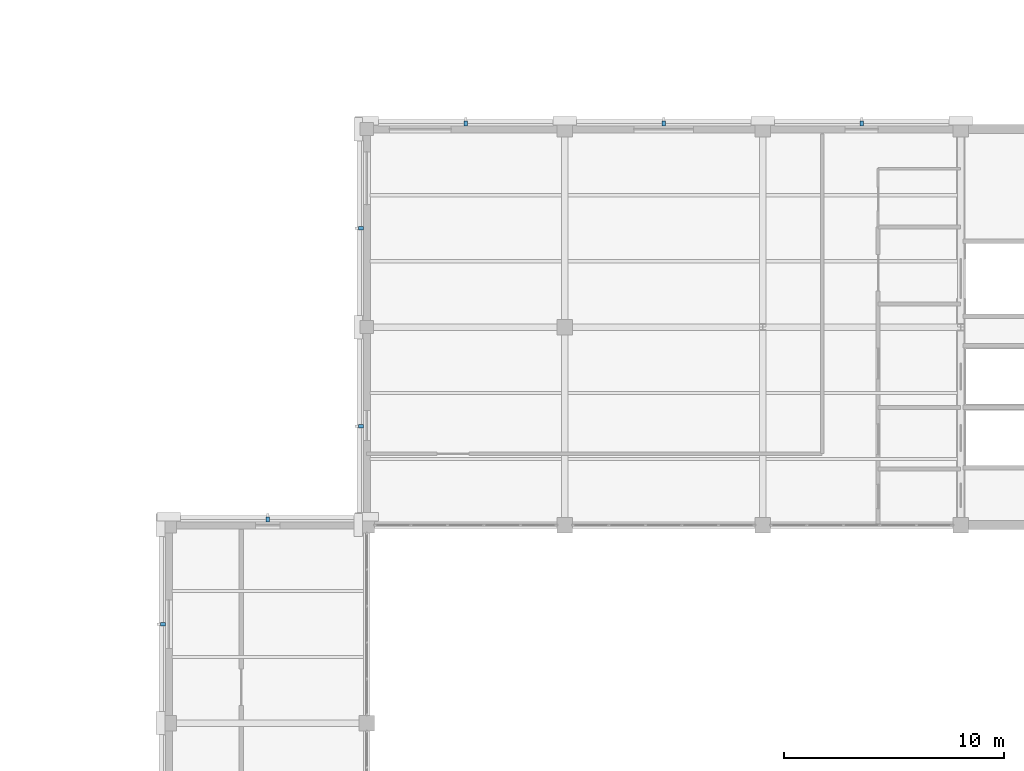
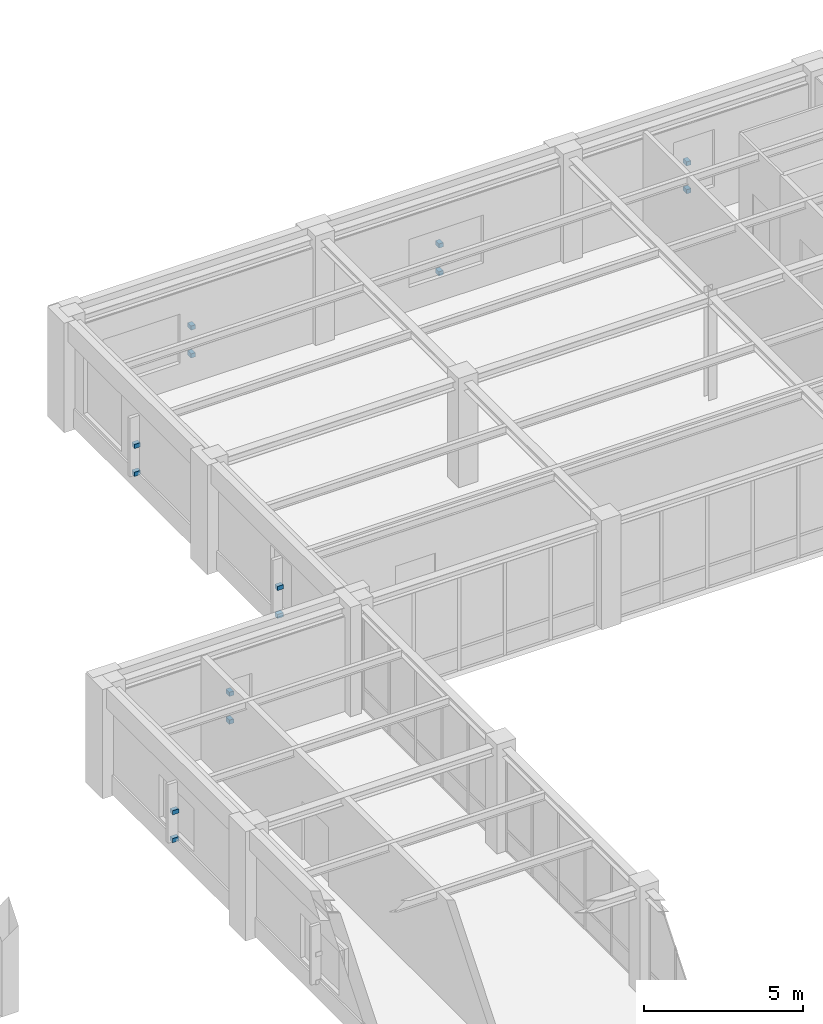
# One storey, part 100 of 108: 14 discrete accessories.
"""IFC4 building model written with IfcOpenShell, lengths in metres."""

from ifc_helpers import new_model, si_unit, direction, frame, origin, origin_2d, place, context, subcontext, project, spatial, rectangle, extrude, material, type_object, element, save


model = new_model("IFC4")

# Units and contexts
model_context = context("Model", 3, precision=1e-05, world=origin(), true_north=direction((0.0, 1.0)))
body_context = subcontext(model_context, "Body", "Model", "MODEL_VIEW")
ifc_project = project(units=[si_unit("LENGTHUNIT", "METRE"), si_unit("AREAUNIT", "SQUARE_METRE"), si_unit("VOLUMEUNIT", "CUBIC_METRE"), si_unit("PLANEANGLEUNIT", "RADIAN"), si_unit("MASSUNIT", "GRAM", prefix="KILO")], contexts=[model_context])

# Site, building, storey
site_placement = place(None, origin())
site = spatial("IfcSite", under=ifc_project, at=site_placement, CompositionType="ELEMENT")
building_placement = place(site_placement, origin())
building = spatial("IfcBuilding", under=site, at=building_placement, Name="Lykobir Media Centre", CompositionType="ELEMENT")
storey_placement = place(building_placement, frame((0.0, 0.0, 15.0)))
storey = spatial("IfcBuildingStorey", under=building, at=storey_placement, Name="L03", CompositionType="ELEMENT", Elevation=15.0)

# Discrete accessories
ifc_material = material(Name="Steel S355", Category="steel")
discrete_accessory_type = type_object("IfcDiscreteAccessoryType", Name="ACC-BRK", PredefinedType="BRACKET", material=ifc_material)
for number, where, z_axis, x_axis, name in (
    (1, (94.5, 72.260009765625, 0.7001953125), (0.0, 0.0, 1.0), (-1.0, 0.0, 0.0), "Cumba corbel bracket 67"),
    (2, (94.5, 72.260009765625, 1.77001953125), (0.0, 0.0, 1.0), (-1.0, 0.0, 0.0), "Shading fin bracket 68"),
    (3, (89.739990234375, 67.5, 0.7001953125), (0.0, 0.0, 1.0), (0.0, -1.0, 0.0), "Cumba corbel bracket 79"),
    (4, (89.739990234375, 67.5, 1.77001953125), (0.0, 0.0, 1.0), (0.0, -1.0, 0.0), "Shading fin bracket 80"),
    (5, (103.5, 90.260009765625, 0.7001953125), (0.0, 0.0, 1.0), (-1.0, 0.0, 0.0), "Cumba corbel bracket 91"),
    (6, (103.5, 90.260009765625, 1.77001953125), (0.0, 0.0, 1.0), (-1.0, 0.0, 0.0), "Shading fin bracket 92"),
    (7, (112.5, 90.260009765625, 0.7001953125), (0.0, 0.0, 1.0), (-1.0, 0.0, 0.0), "Cumba corbel bracket 93"),
    (8, (112.5, 90.260009765625, 1.77001953125), (0.0, 0.0, 1.0), (-1.0, 0.0, 0.0), "Shading fin bracket 94"),
    (9, (121.5, 90.260009765625, 0.7001953125), (0.0, 0.0, 1.0), (-1.0, 0.0, 0.0), "Cumba corbel bracket 95"),
    (10, (121.5, 90.260009765625, 1.77001953125), (0.0, 0.0, 1.0), (-1.0, 0.0, 0.0), "Shading fin bracket 96"),
    (11, (98.739990234375, 76.5, 0.7001953125), (0.0, 0.0, 1.0), (0.0, -1.0, 0.0), "Cumba corbel bracket 97"),
    (12, (98.739990234375, 76.5, 1.77001953125), (0.0, 0.0, 1.0), (0.0, -1.0, 0.0), "Shading fin bracket 98"),
    (13, (98.739990234375, 85.5, 0.7001953125), (0.0, 0.0, 1.0), (0.0, -1.0, 0.0), "Cumba corbel bracket 99"),
    (14, (98.739990234375, 85.5, 1.77001953125), (0.0, 0.0, 1.0), (0.0, -1.0, 0.0), "Shading fin bracket 100"),
):
    element("IfcDiscreteAccessory", number, at=place(storey_placement, frame(where, z_axis=z_axis, x_axis=x_axis)), inside=storey, type_object=discrete_accessory_type, Name=name, PredefinedType="BRACKET", context=body_context, shape_type="SweptSolid", body=[
        extrude(rectangle(XDim=0.159912109375, YDim=0.219970703125, at=origin_2d()), origin(), (0.0, 0.0, 1.0), 0.159912109375),
    ])

save(model, "model.ifc")
